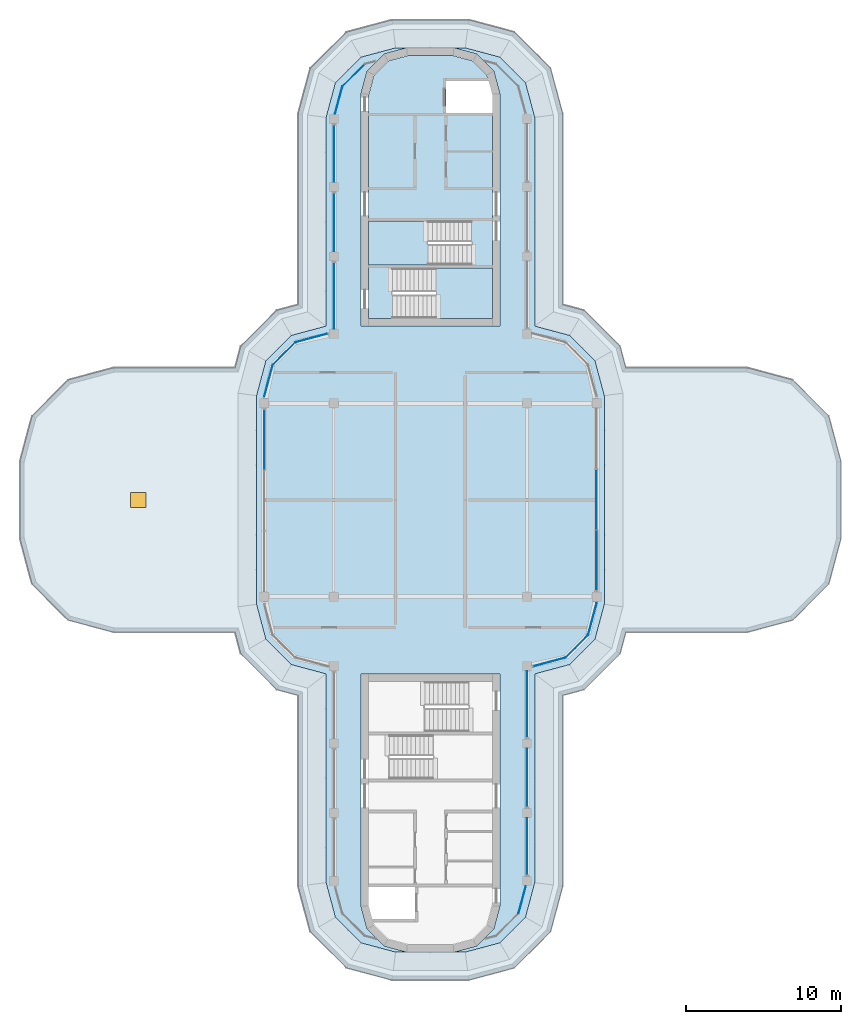
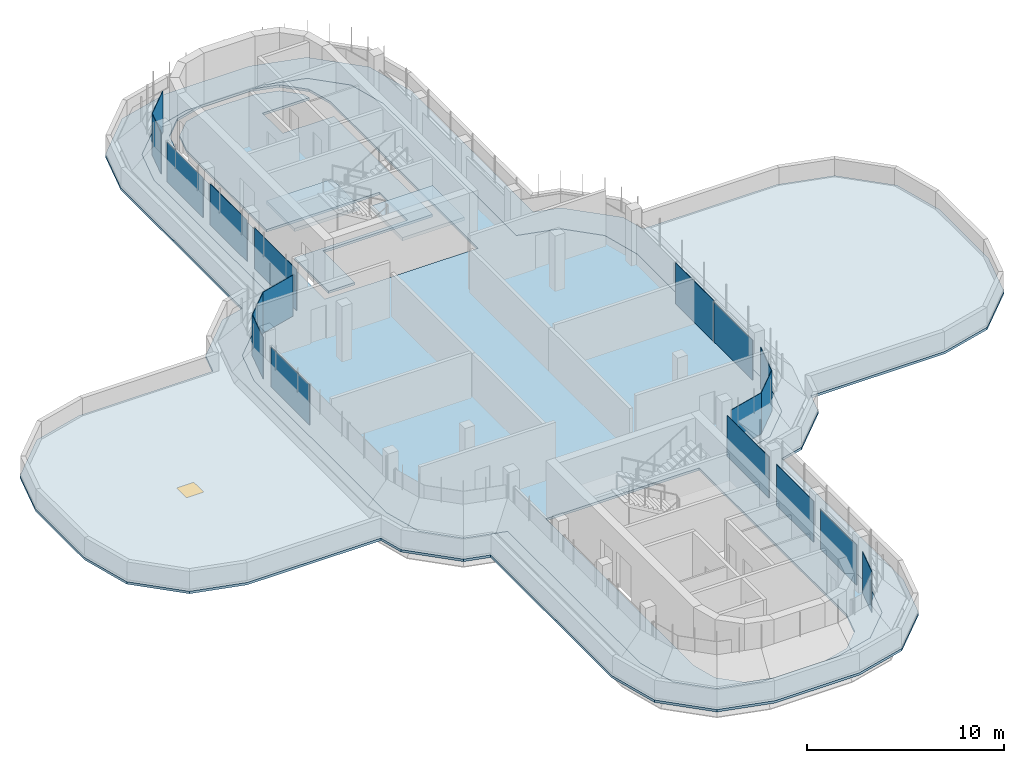
# One storey, part 6 of 13: 18 plates, 5 slabs, 1 window, 1 opening, 15 elements without a shape of their own.
"""IFC4 building model written with IfcOpenShell, lengths in metres."""

import ifcopenshell
import ifcopenshell.guid

model = None  # the IFC model being written
_history = None  # IfcOwnerHistory: only IFC2X3 demands one
_inside = {}  # id of a spatial element -> (the spatial element, [elements in it])
_under = {}  # id of a project, library or spatial element -> (it, [spatial elements below it])
_declared = {}  # id of a project -> (the project, [libraries it declares])
_typed = {}  # id of a type object -> (the type object, [elements of that type])
_made_of = {}  # id of a material, layer set ... -> (it, [elements and type objects made of it])


def new_model(schema):
    """Start an empty IFC model of exactly this schema.

    Asked for "IFC4X3", IfcOpenShell would pick the latest addendum, in which some entities
    have other attributes; the version numbers below select the first issue.
    IFC2X3 requires an IfcOwnerHistory on every rooted entity: one is made here for all.
    """
    global model, _history
    if schema == "IFC4X3":
        model = ifcopenshell.file(schema_version=(4, 3, 0, 0))
    else:
        model = ifcopenshell.file(schema=schema)
    _inside.clear()
    _under.clear()
    _declared.clear()
    _typed.clear()
    _made_of.clear()
    _history = None
    if model.schema == "IFC2X3":
        org = make("IfcOrganization", Name="unknown")
        user = make(
            "IfcPersonAndOrganization",
            ThePerson=make("IfcPerson", FamilyName="unknown"),
            TheOrganization=org,
        )
        app = make(
            "IfcApplication",
            ApplicationDeveloper=org,
            Version="unknown",
            ApplicationFullName="unknown",
            ApplicationIdentifier="unknown",
        )
        _history = make(
            "IfcOwnerHistory",
            OwningUser=user,
            OwningApplication=app,
            ChangeAction="ADDED",
            CreationDate=0,
        )
    return model


def make(cls, **values):
    """One entity of the class cls with the attributes given. An attribute that is None is left unset."""
    return model.create_entity(
        cls, **{name: value for name, value in values.items() if value is not None}
    )


def rooted(cls, **values):
    """An entity with a GlobalId (a new one), such as an element, a storey or a relation."""
    return make(cls, GlobalId=ifcopenshell.guid.new(), OwnerHistory=_history, **values)


def si_unit(unit_type, name, prefix=None):
    """IfcSIUnit, for example si_unit("LENGTHUNIT", "METRE", prefix="MILLI")."""
    return make("IfcSIUnit", UnitType=unit_type, Prefix=prefix, Name=name)


def assignment(units):
    """IfcUnitAssignment: the units of a project."""
    return None if units is None else make("IfcUnitAssignment", Units=units)


def point(xyz):
    """IfcCartesianPoint."""
    return None if xyz is None else make("IfcCartesianPoint", Coordinates=xyz)


def direction(xyz):
    """IfcDirection."""
    return None if xyz is None else make("IfcDirection", DirectionRatios=xyz)


def frame(location, z_axis=None, x_axis=None):
    """IfcAxis2Placement3D, a coordinate frame: its origin and axes. An axis left out is left unset."""
    return make(
        "IfcAxis2Placement3D",
        Location=point(location),
        Axis=direction(z_axis),
        RefDirection=direction(x_axis),
    )


def frame_2d(location, x_axis=None):
    """IfcAxis2Placement2D, a coordinate frame in the plane: its origin and x axis."""
    return make(
        "IfcAxis2Placement2D", Location=point(location), RefDirection=direction(x_axis)
    )


def origin():
    """The frame at (0, 0, 0) with its axes left unset."""
    return frame((0.0, 0.0, 0.0))


def origin_2d():
    """The frame at (0, 0) in the plane with its x axis left unset."""
    return frame_2d((0.0, 0.0))


def place(relative_to, where):
    """IfcLocalPlacement: puts the frame where relative to a parent placement (None: the world)."""
    return make(
        "IfcLocalPlacement", PlacementRelTo=relative_to, RelativePlacement=where
    )


def context(
    kind, dimensions, precision=None, world=None, true_north=None, identifier=None
):
    """IfcGeometricRepresentationContext, for example the 3D "Model" context."""
    return make(
        "IfcGeometricRepresentationContext",
        ContextIdentifier=identifier,
        ContextType=kind,
        CoordinateSpaceDimension=dimensions,
        Precision=precision,
        WorldCoordinateSystem=world,
        TrueNorth=true_north,
    )


def subcontext(parent, identifier, kind, view, scale=None):
    """IfcGeometricRepresentationSubContext, for example "Body" below "Model"."""
    return make(
        "IfcGeometricRepresentationSubContext",
        ContextIdentifier=identifier,
        ContextType=kind,
        ParentContext=parent,
        TargetScale=scale,
        TargetView=view,
    )


def project(units=None, contexts=None):
    """IfcProject with its units and contexts."""
    return rooted(
        "IfcProject",
        Name="project",
        RepresentationContexts=contexts,
        UnitsInContext=assignment(units),
    )


def spatial(cls, under=None, at=None, **own):
    """A site, building, storey or space (cls), placed at a placement, below another one or the project."""
    s = rooted(cls, ObjectPlacement=at, **own)
    if under is not None:
        _under.setdefault(under.id(), (under, []))[1].append(s)
    return s


def polyline(points):
    """IfcPolyline through the points."""
    return make("IfcPolyline", Points=[point(p) for p in points])


def profile(cls, at=None, kind="AREA", **sizes):
    """A parametric profile (cls). Its sizes go by their IFC names, for example OverallWidth=200.0."""
    return make(cls, ProfileType=kind, Position=at, **sizes)


def rectangle(**sizes):
    """IfcRectangleProfileDef."""
    return profile("IfcRectangleProfileDef", **sizes)


def outline(outer, holes=None, kind="AREA"):
    """IfcArbitraryClosedProfileDef: a profile drawn as a closed curve; with holes, ...WithVoids."""
    if holes is None:
        return make("IfcArbitraryClosedProfileDef", ProfileType=kind, OuterCurve=outer)
    return make(
        "IfcArbitraryProfileDefWithVoids",
        ProfileType=kind,
        OuterCurve=outer,
        InnerCurves=holes,
    )


def extrude(swept, where, along, depth):
    """IfcExtrudedAreaSolid: the profile swept, set in the frame where, extruded along a direction by depth."""
    return make(
        "IfcExtrudedAreaSolid",
        SweptArea=swept,
        Position=where,
        ExtrudedDirection=direction(along),
        Depth=depth,
    )


def shape(context_of_items, identifier, shape_type, items):
    """IfcShapeRepresentation: the items that make up one representation, for example the "Body"."""
    return make(
        "IfcShapeRepresentation",
        ContextOfItems=context_of_items,
        RepresentationIdentifier=identifier,
        RepresentationType=shape_type,
        Items=items,
    )


def source(mapping_origin, context_of_items, identifier, shape_type, items):
    """IfcRepresentationMap: a shape defined once, which mapped items show again and again."""
    return make(
        "IfcRepresentationMap",
        MappingOrigin=mapping_origin,
        MappedRepresentation=shape(context_of_items, identifier, shape_type, items),
    )


def transform(
    local_origin,
    x_axis=None,
    y_axis=None,
    z_axis=None,
    scale=None,
    scale2=None,
    scale3=None,
    uniform=True,
):
    """IfcCartesianTransformationOperator3D, or its non-uniform kind. x_axis, y_axis, z_axis: its Axis1, 2, 3."""
    if uniform:
        return make(
            "IfcCartesianTransformationOperator3D",
            Axis1=direction(x_axis),
            Axis2=direction(y_axis),
            LocalOrigin=point(local_origin),
            Scale=scale,
            Axis3=direction(z_axis),
        )
    return make(
        "IfcCartesianTransformationOperator3DnonUniform",
        Axis1=direction(x_axis),
        Axis2=direction(y_axis),
        LocalOrigin=point(local_origin),
        Scale=scale,
        Axis3=direction(z_axis),
        Scale2=scale2,
        Scale3=scale3,
    )


def mapped(mapping_source, mapping_target):
    """IfcMappedItem: shows the shape of a source again, moved by a transform."""
    return make(
        "IfcMappedItem", MappingSource=mapping_source, MappingTarget=mapping_target
    )


def material(Name=None, Category=None):
    """IfcMaterial."""
    return make("IfcMaterial", Name=Name, Category=Category)


def layer(
    of_material, thickness, ventilated=None, Name=None, Category=None, Priority=None
):
    """IfcMaterialLayer: one layer of a wall or slab, of a material (None: an air gap)."""
    return make(
        "IfcMaterialLayer",
        Material=of_material,
        LayerThickness=thickness,
        IsVentilated=ventilated,
        Name=Name,
        Category=Category,
        Priority=Priority,
    )


def layer_set(layers, Name=None):
    """IfcMaterialLayerSet."""
    return make("IfcMaterialLayerSet", MaterialLayers=layers, LayerSetName=Name)


def made_of(thing, what):
    """Note that an element or type object is made of a material, layer set ...; save() writes the relation."""
    if what is not None:
        _made_of.setdefault(what.id(), (what, []))[1].append(thing)
    return thing


def type_object(cls, material=None, **own):
    """A type object (cls), such as IfcWallType, which elements share."""
    return made_of(rooted(cls, **own), material)


def element(
    cls,
    number,
    at=None,
    inside=None,
    cuts=None,
    type_object=None,
    material=None,
    context=None,
    identifier="Body",
    shape_type=None,
    held_by="IfcProductDefinitionShape",
    body=None,
    shapes=None,
    **own,
):
    """One element of the class cls, such as IfcWall. Its Tag is "e" and its number.

    at: its placement. inside: the storey or other place that contains it. cuts: it is an
    opening in that element (IfcRelVoidsElement). A single representation is given by context,
    identifier, shape_type and body (its items); several are given by shapes. held_by: the class
    of the entity that holds the representations. save() writes the other relations.
    """
    e = rooted(cls, Tag="e%d" % number, ObjectPlacement=at, **own)
    if body is not None:
        shapes = [shape(context, identifier, shape_type, body)]
    if shapes is not None:
        e.Representation = make(held_by, Representations=shapes)
    if inside is not None:
        _inside.setdefault(inside.id(), (inside, []))[1].append(e)
    if cuts is not None:
        rooted(
            "IfcRelVoidsElement", RelatingBuildingElement=cuts, RelatedOpeningElement=e
        )
    if type_object is not None:
        _typed.setdefault(type_object.id(), (type_object, []))[1].append(e)
    return made_of(e, material)


def fill(opening, filler):
    """IfcRelFillsElement: the door or window that sits in an opening."""
    return rooted(
        "IfcRelFillsElement",
        RelatingOpeningElement=opening,
        RelatedBuildingElement=filler,
    )


def aggregate(whole, parts):
    """IfcRelAggregates: a whole, such as a stair, and the parts it consists of."""
    return rooted("IfcRelAggregates", RelatingObject=whole, RelatedObjects=parts)


def save(model, path):
    """Write the relations noted so far, then the file.

    IfcRelAggregates (storeys below a building ...), IfcRelContainedInSpatialStructure (elements
    in a storey), IfcRelDefinesByType, IfcRelAssociatesMaterial and IfcRelDeclares: one each for
    every whole, place, type object, material and project.
    """
    for whole, parts in _under.values():
        aggregate(whole, parts)
    for where, things in _inside.values():
        rooted(
            "IfcRelContainedInSpatialStructure",
            RelatedElements=things,
            RelatingStructure=where,
        )
    for kind, things in _typed.values():
        rooted("IfcRelDefinesByType", RelatedObjects=things, RelatingType=kind)
    for what, things in _made_of.values():
        rooted("IfcRelAssociatesMaterial", RelatedObjects=things, RelatingMaterial=what)
    for by, libraries in _declared.values():
        rooted("IfcRelDeclares", RelatingContext=by, RelatedDefinitions=libraries)
    model.write(path)


model = new_model("IFC4")

# Units and contexts
model_context = context("Model", 3, precision=1e-05, world=origin(), true_north=direction((0.0, 1.0)))
body_context = subcontext(model_context, "Body", "Model", "MODEL_VIEW")
ifc_project = project(units=[si_unit("LENGTHUNIT", "METRE"), si_unit("AREAUNIT", "SQUARE_METRE"), si_unit("VOLUMEUNIT", "CUBIC_METRE"), si_unit("PLANEANGLEUNIT", "RADIAN"), si_unit("MASSUNIT", "GRAM", prefix="KILO")], contexts=[model_context])

# Site, building, storey
site_placement = place(None, origin())
site = spatial("IfcSite", under=ifc_project, at=site_placement, CompositionType="ELEMENT")
building_placement = place(site_placement, origin())
building = spatial("IfcBuilding", under=site, at=building_placement, Name="Zarbagh Exchange Tower", CompositionType="ELEMENT")
storey_placement = place(building_placement, frame((0.0, 0.0, 298.800048828125)))
storey = spatial("IfcBuildingStorey", under=building, at=storey_placement, Name="L73", CompositionType="ELEMENT", Elevation=298.800048828125)

# Slabs
ifc_material_1 = material(Name="Concrete C40/50", Category="concrete")
ifc_layer_1 = layer(ifc_material_1, 0.14990234375)
ifc_layer_set_1 = layer_set([ifc_layer_1], Name="Composite floor slab 150 C40/50")
slab_type_1 = type_object("IfcSlabType", Name="Composite floor slab 150 C40/50", PredefinedType="FLOOR", material=ifc_layer_set_1)
slab_1_placement = place(storey_placement, frame((0.0, 0.0, -0.150146484375)))
element("IfcSlab", 1, at=slab_1_placement, inside=storey, type_object=slab_type_1, Name="S5 composite floor slab", PredefinedType="FLOOR", context=body_context, shape_type="SweptSolid", body=[
    extrude(outline(polyline([(1.5, -29.25), (3.0, -28.84814453125), (4.09814453125, -27.75), (4.5, -26.25), (4.5, -11.25), (-4.5, -11.25), (-4.5, -26.25), (-4.09814453125, -27.75), (-3.0, -28.84814453125), (-1.5, -29.25), (-2.25, -29.25), (-4.5, -28.647216796875), (-6.147216796875, -27.0), (-6.75, -24.75), (-6.75, -11.25), (-9.0, -10.647216796875), (-10.647216796875, -9.0), (-11.25, -6.75), (-11.25, 6.75), (-10.647216796875, 9.0), (-9.0, 10.647216796875), (-6.75, 11.25), (-6.75, 24.75), (-6.147216796875, 27.0), (-4.5, 28.647216796875), (-2.25, 29.25), (-1.5, 29.25), (-3.0, 28.84814453125), (-4.09814453125, 27.75), (-4.5, 26.25), (-4.5, 11.25), (4.5, 11.25), (4.5, 26.25), (4.09814453125, 27.75), (3.0, 28.84814453125), (1.5, 29.25), (2.25, 29.25), (4.5, 28.647216796875), (6.147216796875, 27.0), (6.75, 24.75), (6.75, 11.25), (9.0, 10.647216796875), (10.647216796875, 9.0), (11.25, 6.75), (11.25, -6.75), (10.647216796875, -9.0), (9.0, -10.647216796875), (6.75, -11.25), (6.75, -24.75), (6.147216796875, -27.0), (4.5, -28.647216796875), (2.25, -29.25), (1.5, -29.25)])), origin(), (0.0, 0.0, 1.0), 0.150146484375),
])
ifc_layer_2 = layer(ifc_material_1, 0.14990234375)
ifc_layer_set_2 = layer_set([ifc_layer_2], Name="Core floor slab 150 C40/50")
slab_type_2 = type_object("IfcSlabType", Name="Core floor slab 150 C40/50", PredefinedType="FLOOR", material=ifc_layer_set_2)
slab_2_placement = place(storey_placement, frame((0.0, 0.0, -0.150146484375)))
element("IfcSlab", 2, at=slab_2_placement, inside=storey, type_object=slab_type_2, Name="S17 core N", PredefinedType="FLOOR", context=body_context, shape_type="SweptSolid", body=[
    extrude(outline(polyline([(-4.0, 11.75), (-4.0, 15.199951171875), (2.64990234375, 15.199951171875), (2.64990234375, 18.050048828125), (-4.0, 18.050048828125), (-4.0, 26.18408203125), (-3.64990234375, 27.4912109375), (-2.7412109375, 28.39990234375), (-1.43408203125, 28.75), (1.43408203125, 28.75), (2.7412109375, 28.39990234375), (3.64990234375, 27.4912109375), (3.857666015625, 26.715087890625), (3.754638671875, 27.10009765625), (1.0, 27.10009765625), (1.0, 25.050048828125), (4.0, 25.050048828125), (4.0, 15.0), (-2.449951171875, 15.0), (-2.449951171875, 11.75), (-4.0, 11.75)])), origin(), (0.0, 0.0, 1.0), 0.150146484375),
])

# Slab, opening, window
ifc_layer_3 = layer(ifc_material_1, 0.14990234375)
ifc_layer_set_3 = layer_set([ifc_layer_3], Name="Crown terrace roof slab 150 C40/50")
slab_type_3 = type_object("IfcSlabType", Name="Crown terrace roof slab 150 C40/50", PredefinedType="ROOF", material=ifc_layer_set_3)
slab_3_placement = place(storey_placement, frame((0.0, 0.0, -0.150146484375)))
slab_3 = element("IfcSlab", 3, at=slab_3_placement, inside=storey, type_object=slab_type_3, Name="S11 crown terrace roof slab", PredefinedType="ROOF", context=body_context, shape_type="SweptSolid", body=[
    extrude(outline(polyline([(-2.487060546875, -31.050048828125), (-5.431640625, -30.260986328125), (-7.760986328125, -27.931640625), (-8.550048828125, -24.987060546875), (-8.550048828125, -12.631103515625), (-9.931640625, -12.260986328125), (-12.260986328125, -9.931640625), (-12.631103515625, -8.550048828125), (-20.487060546875, -8.550048828125), (-23.431640625, -7.760986328125), (-25.760986328125, -5.431640625), (-26.550048828125, -2.487060546875), (-26.550048828125, 2.487060546875), (-25.760986328125, 5.431640625), (-23.431640625, 7.760986328125), (-20.487060546875, 8.550048828125), (-12.631103515625, 8.550048828125), (-12.260986328125, 9.931640625), (-9.931640625, 12.260986328125), (-8.550048828125, 12.631103515625), (-8.550048828125, 24.987060546875), (-7.760986328125, 27.931640625), (-5.431640625, 30.260986328125), (-2.487060546875, 31.050048828125), (2.487060546875, 31.050048828125), (5.431640625, 30.260986328125), (7.760986328125, 27.931640625), (8.550048828125, 24.987060546875), (8.550048828125, 12.631103515625), (9.931640625, 12.260986328125), (12.260986328125, 9.931640625), (12.631103515625, 8.550048828125), (20.487060546875, 8.550048828125), (23.431640625, 7.760986328125), (25.760986328125, 5.431640625), (26.550048828125, 2.487060546875), (26.550048828125, -2.487060546875), (25.760986328125, -5.431640625), (23.431640625, -7.760986328125), (20.487060546875, -8.550048828125), (12.631103515625, -8.550048828125), (12.260986328125, -9.931640625), (9.931640625, -12.260986328125), (8.550048828125, -12.631103515625), (8.550048828125, -24.987060546875), (7.760986328125, -27.931640625), (5.431640625, -30.260986328125), (2.487060546875, -31.050048828125), (-2.487060546875, -31.050048828125)]), holes=[polyline([(4.5, -28.647216796875), (6.147216796875, -27.0), (6.75, -24.75), (6.75, -11.25), (9.0, -10.647216796875), (10.647216796875, -9.0), (11.25, -6.75), (11.25, 6.75), (10.647216796875, 9.0), (9.0, 10.647216796875), (6.75, 11.25), (6.75, 24.75), (6.147216796875, 27.0), (4.5, 28.647216796875), (2.25, 29.25), (-2.25, 29.25), (-4.5, 28.647216796875), (-6.147216796875, 27.0), (-6.75, 24.75), (-6.75, 11.25), (-9.0, 10.647216796875), (-10.647216796875, 9.0), (-11.25, 6.75), (-11.25, -6.75), (-10.647216796875, -9.0), (-9.0, -10.647216796875), (-6.75, -11.25), (-6.75, -24.75), (-6.147216796875, -27.0), (-4.5, -28.647216796875), (-2.25, -29.25), (2.25, -29.25), (4.5, -28.647216796875)])]), origin(), (0.0, 0.0, 1.0), 0.150146484375),
])
opening_placement = place(slab_3_placement, frame((-18.89990234375, 0.0, 0.0)))
opening = element("IfcOpeningElement", 4, at=opening_placement, cuts=slab_3, Name="Opening RH01", PredefinedType="OPENING", context=body_context, shape_type="SweptSolid", body=[
    extrude(rectangle(XDim=1.0, YDim=1.0, at=origin_2d()), frame((0.0, 0.0, -0.010009765625)), (0.0, 0.0, 1.0), 0.170166015625),
])
ifc_material_2 = material(Name="Aluminium", Category="aluminium")
window_type = type_object("IfcWindowType", Name="Roof access hatch, insulated aluminium", PartitioningType="SINGLE_PANEL", PredefinedType="SKYLIGHT", material=ifc_material_2)
window_placement = place(opening_placement, frame((0.0, 0.0, 0.10009765625)))
window = element("IfcWindow", 5, at=window_placement, inside=storey, type_object=window_type, Name="RH01 roof access hatch", OverallHeight=1.0, OverallWidth=1.0, PartitioningType="SINGLE_PANEL", PredefinedType="SKYLIGHT", context=body_context, shape_type="SweptSolid", body=[
    extrude(rectangle(XDim=1.0, YDim=1.0, at=origin_2d()), origin(), (0.0, 0.0, 1.0), 0.050048828125),
])
fill(opening, window)

# Stair, slab
stair_type = type_object("IfcStairType", Name="Exit stair two-flight half-turn", PredefinedType="HALF_TURN_STAIR", material=ifc_material_1)
stair_1_placement = place(storey_placement, origin())
stair_1 = element("IfcStair", 6, at=stair_1_placement, inside=storey, type_object=stair_type, Name="exit stair ST1", PredefinedType="HALF_TURN_STAIR")
ifc_layer_4 = layer(ifc_material_1, 0.199951171875)
ifc_layer_set_4 = layer_set([ifc_layer_4], Name="Stair landing 200 mm")
slab_type_4 = type_object("IfcSlabType", Name="Stair landing 200 mm", PredefinedType="LANDING", material=ifc_layer_set_4)
slab_4_placement = place(storey_placement, frame((0.0, 0.0, 1.599853515625)))
slab_4 = element("IfcSlab", 7, at=slab_4_placement, type_object=slab_type_4, Name="ST1 landing 1", PredefinedType="LANDING", context=body_context, shape_type="SweptSolid", body=[
    extrude(outline(polyline([(-0.14990234375, 18.050048828125), (-4.0, 18.050048828125), (-4.0, 15.199951171875), (-0.14990234375, 15.199951171875), (-0.14990234375, 18.050048828125)])), origin(), (0.0, 0.0, 1.0), 0.2001953125),
])
aggregate(stair_1, [slab_4])

stair_2_placement = place(storey_placement, origin())
stair_2 = element("IfcStair", 8, at=stair_2_placement, inside=storey, type_object=stair_type, Name="exit stair ST2", PredefinedType="HALF_TURN_STAIR")
slab_5_placement = place(storey_placement, frame((0.0, 0.0, 1.599853515625)))
slab_5 = element("IfcSlab", 9, at=slab_5_placement, type_object=slab_type_4, Name="ST2 landing 1", PredefinedType="LANDING", context=body_context, shape_type="SweptSolid", body=[
    extrude(outline(polyline([(0.35009765625, 11.75), (4.0, 11.75), (4.0, 15.0), (0.35009765625, 15.0), (0.35009765625, 11.75)])), origin(), (0.0, 0.0, 1.0), 0.2001953125),
])
aggregate(stair_2, [slab_5])

# Curtain wall, plate
ifc_material_3 = material(Name="Anodised aluminium frame and glazing", Category="aluminium")
curtain_wall_type = type_object("IfcCurtainWallType", Name="CWF Crown tier glazing", PredefinedType="NOTDEFINED", material=ifc_material_3)
curtain_wall_1_placement = place(storey_placement, origin())
curtain_wall_1 = element("IfcCurtainWall", 10, at=curtain_wall_1_placement, inside=storey, type_object=curtain_wall_type, Name="CWF06 curtain wall", PredefinedType="NOTDEFINED")
ifc_material_4 = material(Name="Low-e double glazed unit, 6+12+6 mm")
ifc_layer_5 = layer(ifc_material_4, 0.028076171875)
ifc_layer_set_5 = layer_set([ifc_layer_5], Name="PAF Glazing panel, Low-e double glazed unit, 6+12+6 mm")
plate_type = type_object("IfcPlateType", Name="PAF Glazing panel, Low-e double glazed unit, 6+12+6 mm", PredefinedType="CURTAIN_PANEL", material=ifc_layer_set_5)
shared_shape_1 = source(origin(), body_context, "Body", "SweptSolid", [
    extrude(outline(polyline([(0.0, -0.013916015625), (2.061279296875, -0.013916015625), (2.061279296875, 0.013916015625), (0.0, 0.013916015625), (0.0, -0.013916015625)])), origin(), (0.0, 0.0, 1.0), 2.550048828125),
])
placement = place(storey_placement, origin())
plate_1 = element("IfcPlate", 11, at=placement, type_object=plate_type, Name="CWF06 glazing panel 1.1", PredefinedType="CURTAIN_PANEL", context=body_context, shape_type="MappedRepresentation", body=[
    mapped(shared_shape_1, transform((8.7412109375, -10.19873046875, 0.0), x_axis=(0.707106781187, 0.707106781187, 0.0), y_axis=(-0.707106781187, 0.707106781187, 0.0), z_axis=(0.0, 0.0, 1.0))),
])
aggregate(curtain_wall_1, [plate_1])

curtain_wall_2_placement = place(storey_placement, origin())
curtain_wall_2 = element("IfcCurtainWall", 12, at=curtain_wall_2_placement, inside=storey, type_object=curtain_wall_type, Name="CWF25 curtain wall", PredefinedType="NOTDEFINED")
plate_2 = element("IfcPlate", 13, at=placement, type_object=plate_type, Name="CWF25 glazing panel 1.1", PredefinedType="CURTAIN_PANEL", context=body_context, shape_type="MappedRepresentation", body=[
    mapped(shared_shape_1, transform((-4.2412109375, 28.19873046875, 0.0), x_axis=(-0.707106781187, -0.707106781187, 0.0), y_axis=(0.707106781187, -0.707106781187, 0.0), z_axis=(0.0, 0.0, 1.0))),
])
aggregate(curtain_wall_2, [plate_2])

curtain_wall_3_placement = place(storey_placement, origin())
curtain_wall_3 = element("IfcCurtainWall", 14, at=curtain_wall_3_placement, inside=storey, type_object=curtain_wall_type, Name="CWF29 curtain wall", PredefinedType="NOTDEFINED")
plate_3 = element("IfcPlate", 15, at=placement, type_object=plate_type, Name="CWF29 glazing panel 1.1", PredefinedType="CURTAIN_PANEL", context=body_context, shape_type="MappedRepresentation", body=[
    mapped(shared_shape_1, transform((-8.7412109375, 10.19873046875, 0.0), x_axis=(-0.707106781187, -0.707106781187, 0.0), y_axis=(0.707106781187, -0.707106781187, 0.0), z_axis=(0.0, 0.0, 1.0))),
])
aggregate(curtain_wall_3, [plate_3])

curtain_wall_4_placement = place(storey_placement, origin())
curtain_wall_4 = element("IfcCurtainWall", 16, at=curtain_wall_4_placement, inside=storey, type_object=curtain_wall_type, Name="CWF03 curtain wall", PredefinedType="NOTDEFINED")
shared_shape_2 = source(origin(), body_context, "Body", "SweptSolid", [
    extrude(outline(polyline([(0.0, -0.013916015625), (1.81298828125, -0.013916015625), (1.81298828125, 0.013916015625), (0.0, 0.013916015625), (0.0, -0.013916015625)])), origin(), (0.0, 0.0, 1.0), 2.550048828125),
])
plate_4 = element("IfcPlate", 17, at=placement, type_object=plate_type, Name="CWF03 glazing panel 1.1", PredefinedType="CURTAIN_PANEL", context=body_context, shape_type="MappedRepresentation", body=[
    mapped(shared_shape_2, transform((5.69873046875, -26.7412109375, 0.0), x_axis=(0.258824779902, 0.965924289636, 0.0), y_axis=(-0.965924289636, 0.258824779902, 0.0), z_axis=(0.0, 0.0, 1.0))),
])
aggregate(curtain_wall_4, [plate_4])

curtain_wall_5_placement = place(storey_placement, origin())
curtain_wall_5 = element("IfcCurtainWall", 18, at=curtain_wall_5_placement, inside=storey, type_object=curtain_wall_type, Name="CWF26 curtain wall", PredefinedType="NOTDEFINED")
plate_5 = element("IfcPlate", 19, at=placement, type_object=plate_type, Name="CWF26 glazing panel 1.1", PredefinedType="CURTAIN_PANEL", context=body_context, shape_type="MappedRepresentation", body=[
    mapped(shared_shape_2, transform((-5.69873046875, 26.7412109375, 0.0), x_axis=(-0.258824779902, -0.965924289636, 0.0), y_axis=(0.965924289636, -0.258824779902, 0.0), z_axis=(0.0, 0.0, 1.0))),
])
aggregate(curtain_wall_5, [plate_5])

curtain_wall_6_placement = place(storey_placement, origin())
curtain_wall_6 = element("IfcCurtainWall", 20, at=curtain_wall_6_placement, inside=storey, type_object=curtain_wall_type, Name="CWF04 curtain wall", PredefinedType="NOTDEFINED")
shared_shape_3 = source(origin(), body_context, "Body", "SweptSolid", [
    extrude(outline(polyline([(0.0, -0.013916015625), (3.659912109375, -0.013916015625), (3.659912109375, 0.013916015625), (0.0, 0.013916015625), (0.0, -0.013916015625)])), origin(), (0.0, 0.0, 1.0), 2.489990234375),
])
plate_6 = element("IfcPlate", 21, at=placement, type_object=plate_type, Name="CWF04 glazing panel 1.1", PredefinedType="CURTAIN_PANEL", context=body_context, shape_type="MappedRepresentation", body=[
    mapped(shared_shape_3, transform((6.25, -24.25, 0.0), x_axis=(0.0, 1.0, 0.0), y_axis=(-1.0, 0.0, 0.0), z_axis=(0.0, 0.0, 1.0))),
])

curtain_wall_7_placement = place(storey_placement, origin())
curtain_wall_7 = element("IfcCurtainWall", 22, at=curtain_wall_7_placement, inside=storey, type_object=curtain_wall_type, Name="CWF27 curtain wall", PredefinedType="NOTDEFINED")
plate_7 = element("IfcPlate", 23, at=placement, type_object=plate_type, Name="CWF27 glazing panel 1.1", PredefinedType="CURTAIN_PANEL", context=body_context, shape_type="MappedRepresentation", body=[
    mapped(shared_shape_3, transform((-6.25, 24.25, 0.0), x_axis=(0.0, -1.0, 0.0), y_axis=(1.0, 0.0, 0.0), z_axis=(0.0, 0.0, 1.0))),
])

# Plate
shared_shape_4 = source(origin(), body_context, "Body", "SweptSolid", [
    extrude(outline(polyline([(0.0, -0.013916015625), (3.760009765625, -0.013916015625), (3.760009765625, 0.013916015625), (0.0, 0.013916015625), (0.0, -0.013916015625)])), origin(), (0.0, 0.0, 1.0), 2.550048828125),
])
plate_8 = element("IfcPlate", 24, at=placement, type_object=plate_type, Name="CWF04 glazing panel 2.1", PredefinedType="CURTAIN_PANEL", context=body_context, shape_type="MappedRepresentation", body=[
    mapped(shared_shape_4, transform((6.25, -19.849853515625, 0.0), x_axis=(0.0, 1.0, 0.0), y_axis=(-1.0, 0.0, 0.0), z_axis=(0.0, 0.0, 1.0))),
])

plate_9 = element("IfcPlate", 25, at=placement, type_object=plate_type, Name="CWF27 glazing panel 2.1", PredefinedType="CURTAIN_PANEL", context=body_context, shape_type="MappedRepresentation", body=[
    mapped(shared_shape_4, transform((-6.25, 19.849853515625, 0.0), x_axis=(0.0, -1.0, 0.0), y_axis=(1.0, 0.0, 0.0), z_axis=(0.0, 0.0, 1.0))),
])

shared_shape_5 = source(origin(), body_context, "Body", "SweptSolid", [
    extrude(outline(polyline([(0.0, -0.013916015625), (4.260009765625, -0.013916015625), (4.260009765625, 0.013916015625), (0.0, 0.013916015625), (0.0, -0.013916015625)])), origin(), (0.0, 0.0, 1.0), 2.550048828125),
])
plate_10 = element("IfcPlate", 26, at=placement, type_object=plate_type, Name="CWF04 glazing panel 3.1", PredefinedType="CURTAIN_PANEL", context=body_context, shape_type="MappedRepresentation", body=[
    mapped(shared_shape_5, transform((6.25, -15.349853515625, 0.0), x_axis=(0.0, 1.0, 0.0), y_axis=(-1.0, 0.0, 0.0), z_axis=(0.0, 0.0, 1.0))),
])

aggregate(curtain_wall_6, [plate_6, plate_8, plate_10])

plate_11 = element("IfcPlate", 27, at=placement, type_object=plate_type, Name="CWF27 glazing panel 3.1", PredefinedType="CURTAIN_PANEL", context=body_context, shape_type="MappedRepresentation", body=[
    mapped(shared_shape_5, transform((-6.25, 15.349853515625, 0.0), x_axis=(0.0, -1.0, 0.0), y_axis=(1.0, 0.0, 0.0), z_axis=(0.0, 0.0, 1.0))),
])

aggregate(curtain_wall_7, [plate_7, plate_9, plate_11])

# Curtain wall, plate
curtain_wall_8_placement = place(storey_placement, origin())
curtain_wall_8 = element("IfcCurtainWall", 28, at=curtain_wall_8_placement, inside=storey, type_object=curtain_wall_type, Name="CWF05 curtain wall", PredefinedType="NOTDEFINED")
shared_shape_6 = source(origin(), body_context, "Body", "SweptSolid", [
    extrude(outline(polyline([(0.0, -0.013916015625), (2.1669921875, -0.013916015625), (2.1669921875, 0.013916015625), (0.0, 0.013916015625), (0.0, -0.013916015625)])), origin(), (0.0, 0.0, 1.0), 2.550048828125),
])
plate_12 = element("IfcPlate", 29, at=placement, type_object=plate_type, Name="CWF05 glazing panel 1.1", PredefinedType="CURTAIN_PANEL", context=body_context, shape_type="MappedRepresentation", body=[
    mapped(shared_shape_6, transform((6.64794921875, -10.759765625, 0.0), x_axis=(0.965924289636, 0.258824779902, 0.0), y_axis=(-0.258824779902, 0.965924289636, 0.0), z_axis=(0.0, 0.0, 1.0))),
])
aggregate(curtain_wall_8, [plate_12])

curtain_wall_9_placement = place(storey_placement, origin())
curtain_wall_9 = element("IfcCurtainWall", 30, at=curtain_wall_9_placement, inside=storey, type_object=curtain_wall_type, Name="CWF28 curtain wall", PredefinedType="NOTDEFINED")
plate_13 = element("IfcPlate", 31, at=placement, type_object=plate_type, Name="CWF28 glazing panel 1.1", PredefinedType="CURTAIN_PANEL", context=body_context, shape_type="MappedRepresentation", body=[
    mapped(shared_shape_6, transform((-6.64794921875, 10.759765625, 0.0), x_axis=(-0.965924289636, -0.258824779902, 0.0), y_axis=(0.258824779902, -0.965924289636, 0.0), z_axis=(0.0, 0.0, 1.0))),
])
aggregate(curtain_wall_9, [plate_13])

curtain_wall_10_placement = place(storey_placement, origin())
curtain_wall_10 = element("IfcCurtainWall", 32, at=curtain_wall_10_placement, inside=storey, type_object=curtain_wall_type, Name="CWF07 curtain wall", PredefinedType="NOTDEFINED")
shared_shape_7 = source(origin(), body_context, "Body", "SweptSolid", [
    extrude(outline(polyline([(0.0, -0.013916015625), (2.129638671875, -0.013916015625), (2.129638671875, 0.013916015625), (0.0, 0.013916015625), (0.0, -0.013916015625)])), origin(), (0.0, 0.0, 1.0), 2.550048828125),
])
plate_14 = element("IfcPlate", 33, at=placement, type_object=plate_type, Name="CWF07 glazing panel 1.1", PredefinedType="CURTAIN_PANEL", context=body_context, shape_type="MappedRepresentation", body=[
    mapped(shared_shape_7, transform((10.19873046875, -8.7412109375, 0.0), x_axis=(0.258824779902, 0.965924289636, 0.0), y_axis=(-0.965924289636, 0.258824779902, 0.0), z_axis=(0.0, 0.0, 1.0))),
])
aggregate(curtain_wall_10, [plate_14])

curtain_wall_11_placement = place(storey_placement, origin())
curtain_wall_11 = element("IfcCurtainWall", 34, at=curtain_wall_11_placement, inside=storey, type_object=curtain_wall_type, Name="CWF30 curtain wall", PredefinedType="NOTDEFINED")
plate_15 = element("IfcPlate", 35, at=placement, type_object=plate_type, Name="CWF30 glazing panel 1.1", PredefinedType="CURTAIN_PANEL", context=body_context, shape_type="MappedRepresentation", body=[
    mapped(shared_shape_7, transform((-10.19873046875, 8.7412109375, 0.0), x_axis=(-0.258824779902, -0.965924289636, 0.0), y_axis=(0.965924289636, -0.258824779902, 0.0), z_axis=(0.0, 0.0, 1.0))),
])
aggregate(curtain_wall_11, [plate_15])

curtain_wall_12_placement = place(storey_placement, origin())
curtain_wall_12 = element("IfcCurtainWall", 36, at=curtain_wall_12_placement, inside=storey, type_object=curtain_wall_type, Name="CWF47 curtain wall", PredefinedType="NOTDEFINED")
shared_shape_8 = source(origin(), body_context, "Body", "SweptSolid", [
    extrude(outline(polyline([(0.0, -0.013916015625), (3.8798828125, -0.013916015625), (3.8798828125, 0.013916015625), (0.0, 0.013916015625), (0.0, -0.013916015625)])), origin(), (0.0, 0.0, 1.0), 2.489990234375),
])
plate_16 = element("IfcPlate", 37, at=placement, type_object=plate_type, Name="CWF47 glazing panel 1.1", PredefinedType="CURTAIN_PANEL", context=body_context, shape_type="MappedRepresentation", body=[
    mapped(shared_shape_8, transform((10.75, -5.849853515625, 0.0), x_axis=(0.0, 1.0, 0.0), y_axis=(-1.0, 0.0, 0.0), z_axis=(0.0, 0.0, 1.0))),
])

curtain_wall_13_placement = place(storey_placement, origin())
curtain_wall_13 = element("IfcCurtainWall", 38, at=curtain_wall_13_placement, inside=storey, type_object=curtain_wall_type, Name="CWF48 curtain wall", PredefinedType="NOTDEFINED")
plate_17 = element("IfcPlate", 39, at=placement, type_object=plate_type, Name="CWF48 glazing panel 1.1", PredefinedType="CURTAIN_PANEL", context=body_context, shape_type="MappedRepresentation", body=[
    mapped(shared_shape_8, transform((-10.75, 5.849853515625, 0.0), x_axis=(0.0, -1.0, 0.0), y_axis=(1.0, 0.0, 0.0), z_axis=(0.0, 0.0, 1.0))),
])
aggregate(curtain_wall_13, [plate_17])

# Plate
shared_shape_9 = source(origin(), body_context, "Body", "SweptSolid", [
    extrude(outline(polyline([(0.0, -0.013916015625), (3.8798828125, -0.013916015625), (3.8798828125, 0.013916015625), (0.0, 0.013916015625), (0.0, -0.013916015625)])), origin(), (0.0, 0.0, 1.0), 2.550048828125),
])
plate_18 = element("IfcPlate", 40, at=placement, type_object=plate_type, Name="CWF47 glazing panel 1.2", PredefinedType="CURTAIN_PANEL", context=body_context, shape_type="MappedRepresentation", body=[
    mapped(shared_shape_9, transform((10.75, -1.909912109375, 0.0), x_axis=(0.0, 1.0, 0.0), y_axis=(-1.0, 0.0, 0.0), z_axis=(0.0, 0.0, 1.0))),
])

aggregate(curtain_wall_12, [plate_16, plate_18])

save(model, "model.ifc")
